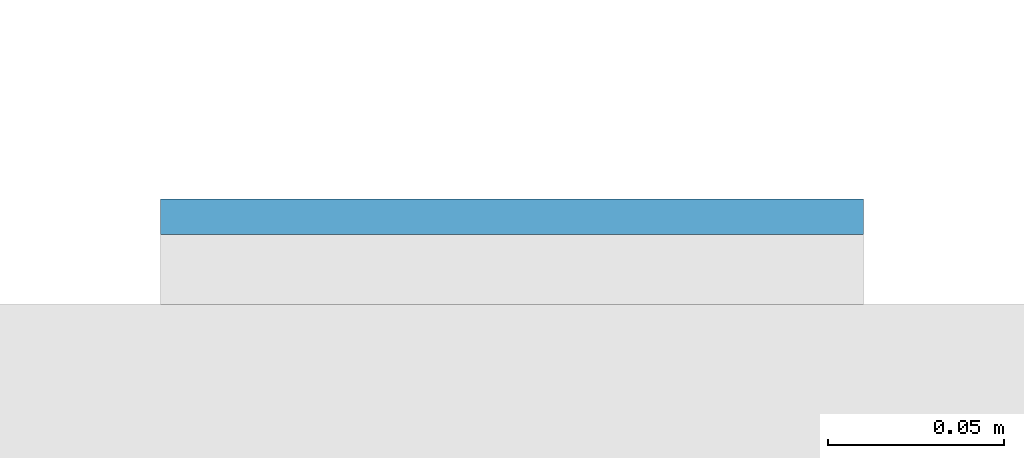
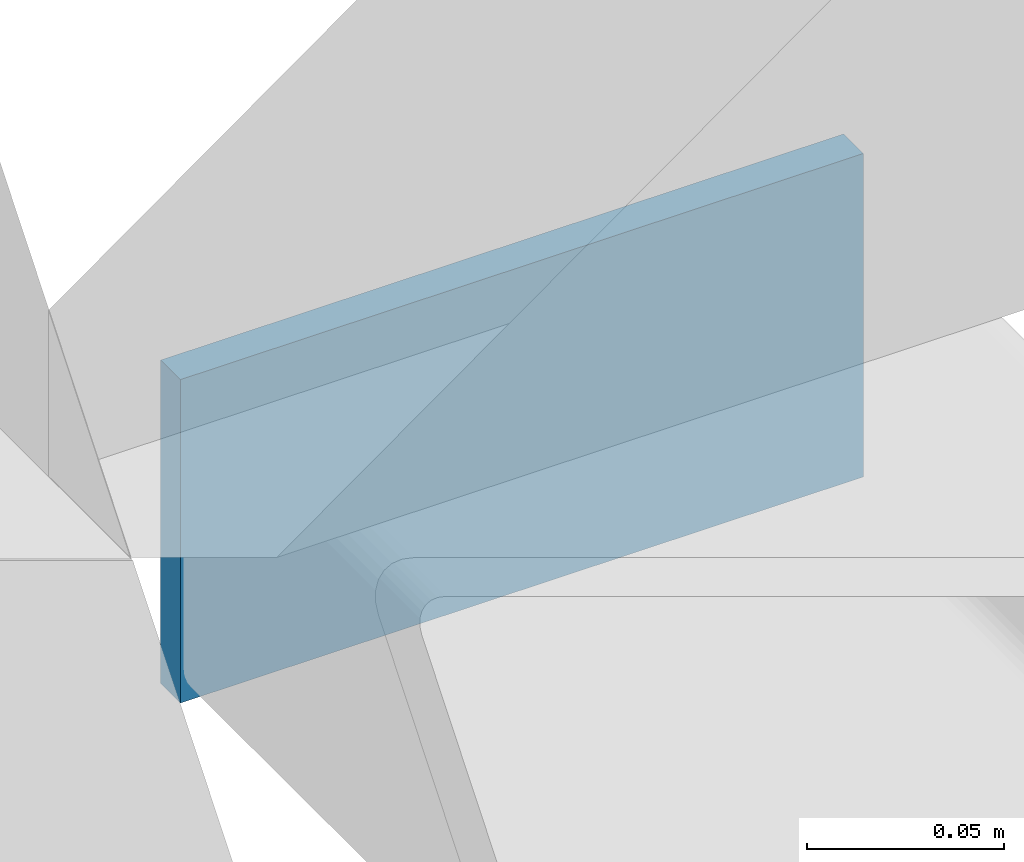
# One storey, part 8 of 14: 1 plate.
"""IFC4 building model written with IfcOpenShell, lengths in metres."""

from ifc_helpers import new_model, si_unit, direction, frame, origin, origin_2d, place, context, subcontext, project, spatial, rectangle, extrude, material, layer, layer_set, type_object, element, save


model = new_model("IFC4")

# Units and contexts
model_context = context("Model", 3, precision=1e-05, world=origin(), true_north=direction((0.0, 1.0)))
body_context = subcontext(model_context, "Body", "Model", "MODEL_VIEW")
ifc_project = project(units=[si_unit("LENGTHUNIT", "METRE"), si_unit("AREAUNIT", "SQUARE_METRE"), si_unit("VOLUMEUNIT", "CUBIC_METRE"), si_unit("PLANEANGLEUNIT", "RADIAN"), si_unit("MASSUNIT", "GRAM", prefix="KILO")], contexts=[model_context])

# Site, building, storey
site_placement = place(None, origin())
site = spatial("IfcSite", under=ifc_project, at=site_placement, CompositionType="ELEMENT")
building_placement = place(site_placement, origin())
building = spatial("IfcBuilding", under=site, at=building_placement, Name="Cleftline Residences", CompositionType="ELEMENT")
storey_placement = place(building_placement, frame((0.0, 0.0, 230.39990234375)))
storey = spatial("IfcBuildingStorey", under=building, at=storey_placement, Name="L60", CompositionType="ELEMENT", Elevation=230.39990234375)

# Plate
ifc_material = material(Name="Steel S355, hot-dip galvanised", Category="steel")
ifc_layer = layer(ifc_material, 0.010009765625)
ifc_layer_set = layer_set([ifc_layer], Name="BAGUETTE CARRIER END PLATE 200X100X10")
plate_type = type_object("IfcPlateType", Name="BAGUETTE CARRIER END PLATE 200X100X10", PredefinedType="USERDEFINED", material=ifc_layer_set)
plate_placement = place(storey_placement, frame((66.85009765625, 44.304931640625, -0.099853515625), z_axis=(0.0, 0.0, 1.0), x_axis=(1.0, 0.0, 0.0)))
element("IfcPlate", 1, at=plate_placement, inside=storey, type_object=plate_type, Name="Baguette carrier end plate", ObjectType="BAGUETTE CARRIER END PLATE", PredefinedType="USERDEFINED", context=body_context, shape_type="SweptSolid", body=[
    extrude(rectangle(XDim=0.199951171875, YDim=0.010009765625, at=origin_2d()), origin(), (0.0, 0.0, 1.0), 0.10009765625),
])

save(model, "model.ifc")
